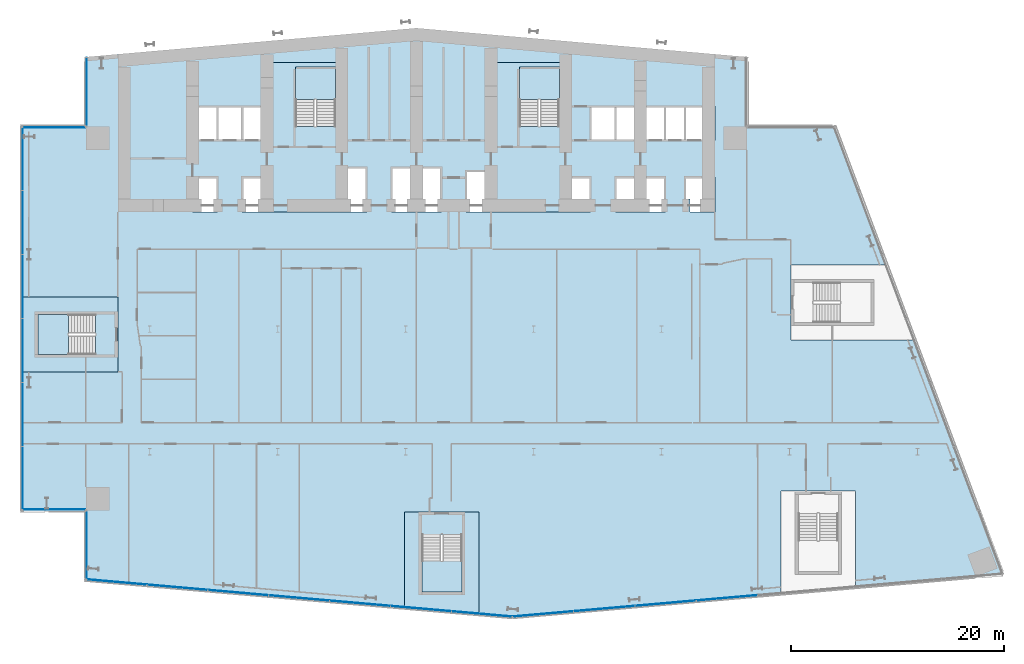
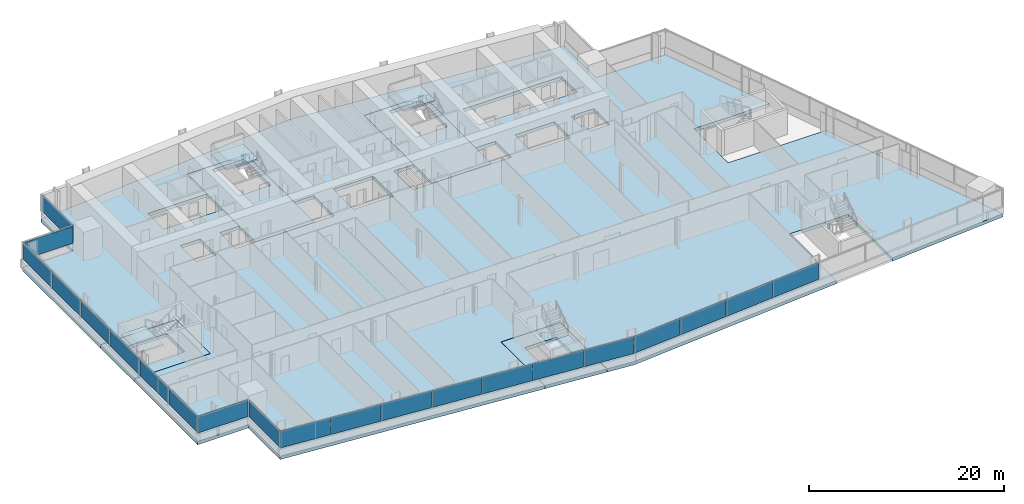
# One storey, part 10 of 24: 21 plates, 9 slabs, 11 elements without a shape of their own.
"""IFC4 building model written with IfcOpenShell, lengths in metres."""

from ifc_helpers import new_model, si_unit, direction, frame, origin, origin_2d, place, context, subcontext, project, spatial, polyline, rectangle, outline, extrude, material, layer, layer_set, type_object, element, aggregate, save


model = new_model("IFC4")

# Units and contexts
model_context = context("Model", 3, precision=1e-05, world=origin(), true_north=direction((0.0, 1.0)))
body_context = subcontext(model_context, "Body", "Model", "MODEL_VIEW")
ifc_project = project(units=[si_unit("LENGTHUNIT", "METRE"), si_unit("AREAUNIT", "SQUARE_METRE"), si_unit("VOLUMEUNIT", "CUBIC_METRE"), si_unit("PLANEANGLEUNIT", "RADIAN"), si_unit("MASSUNIT", "GRAM", prefix="KILO")], contexts=[model_context])

# Site, building, storey
site_placement = place(None, origin())
site = spatial("IfcSite", under=ifc_project, at=site_placement, CompositionType="ELEMENT")
building_placement = place(site_placement, origin())
building = spatial("IfcBuilding", under=site, at=building_placement, Name="Wharfspan Tower", CompositionType="ELEMENT")
storey_placement = place(building_placement, frame((0.0, 0.0, 41.5)))
storey = spatial("IfcBuildingStorey", under=building, at=storey_placement, Name="L06", CompositionType="ELEMENT", Elevation=41.5)

# Curtain wall, plates
ifc_material_1 = material(Name="Aluminium 6063-T6", Category="aluminium")
curtain_wall_type_1 = type_object("IfcCurtainWallType", Name="CURTAIN WALL FACETED FRONT", PredefinedType="NOTDEFINED", material=ifc_material_1)
curtain_wall_1_placement = place(storey_placement, origin())
curtain_wall_1 = element("IfcCurtainWall", 1, at=curtain_wall_1_placement, inside=storey, type_object=curtain_wall_type_1, Name="Curtain wall S1", PredefinedType="NOTDEFINED")
ifc_material_2 = material(Name="Glass clear low-iron double glazing", Category="glass")
ifc_layer_1 = layer(ifc_material_2, 0.040039)
ifc_layer_set_1 = layer_set([ifc_layer_1], Name="Glass clear low-iron double glazing")
plate_type_1 = type_object("IfcPlateType", Name="GLASS PANEL FACETED FRONT 40", PredefinedType="CURTAIN_PANEL", material=ifc_layer_set_1)
plate_1_placement = place(storey_placement, frame((8.877197, -0.716553, 1.0), z_axis=(0.0, 0.0, 1.0), x_axis=(0.996197, -0.087156, 0.0)))
plate_1 = element("IfcPlate", 2, at=plate_1_placement, type_object=plate_type_1, Name="Curtain wall S1 panel 1", PredefinedType="CURTAIN_PANEL", context=body_context, shape_type="SweptSolid", body=[
    extrude(rectangle(XDim=5.645996, YDim=0.040039, at=origin_2d()), origin(), (0.0, 0.0, 1.0), 2.120117),
])
plate_2_placement = place(storey_placement, frame((14.57666, -1.215088, 1.0), z_axis=(0.0, 0.0, 1.0), x_axis=(0.996197, -0.087156, 0.0)))
plate_2 = element("IfcPlate", 3, at=plate_2_placement, type_object=plate_type_1, Name="Curtain wall S1 panel 2", PredefinedType="CURTAIN_PANEL", context=body_context, shape_type="SweptSolid", body=[
    extrude(rectangle(XDim=5.676025, YDim=0.040039, at=origin_2d()), origin(), (0.0, 0.0, 1.0), 2.120117),
])
plate_3_placement = place(storey_placement, frame((20.291016, -1.715088, 1.0), z_axis=(0.0, 0.0, 1.0), x_axis=(0.996197, -0.087156, 0.0)))
plate_3 = element("IfcPlate", 4, at=plate_3_placement, type_object=plate_type_1, Name="Curtain wall S1 panel 3", PredefinedType="CURTAIN_PANEL", context=body_context, shape_type="SweptSolid", body=[
    extrude(rectangle(XDim=5.676025, YDim=0.040039, at=origin_2d()), origin(), (0.0, 0.0, 1.0), 2.120117),
])
plate_4_placement = place(storey_placement, frame((26.005127, -2.214844, 1.0), z_axis=(0.0, 0.0, 1.0), x_axis=(0.996197, -0.087156, 0.0)))
plate_4 = element("IfcPlate", 5, at=plate_4_placement, type_object=plate_type_1, Name="Curtain wall S1 panel 4", PredefinedType="CURTAIN_PANEL", context=body_context, shape_type="SweptSolid", body=[
    extrude(rectangle(XDim=5.676025, YDim=0.040039, at=origin_2d()), origin(), (0.0, 0.0, 1.0), 2.120117),
])
plate_5_placement = place(storey_placement, frame((31.719482, -2.714844, 1.0), z_axis=(0.0, 0.0, 1.0), x_axis=(0.996197, -0.087156, 0.0)))
plate_5 = element("IfcPlate", 6, at=plate_5_placement, type_object=plate_type_1, Name="Curtain wall S1 panel 5", PredefinedType="CURTAIN_PANEL", context=body_context, shape_type="SweptSolid", body=[
    extrude(rectangle(XDim=5.676025, YDim=0.040039, at=origin_2d()), origin(), (0.0, 0.0, 1.0), 2.120117),
])
plate_6_placement = place(storey_placement, frame((37.433838, -3.214844, 1.0), z_axis=(0.0, 0.0, 1.0), x_axis=(0.996197, -0.087156, 0.0)))
plate_6 = element("IfcPlate", 7, at=plate_6_placement, type_object=plate_type_1, Name="Curtain wall S1 panel 6", PredefinedType="CURTAIN_PANEL", context=body_context, shape_type="SweptSolid", body=[
    extrude(rectangle(XDim=5.676025, YDim=0.040039, at=origin_2d()), origin(), (0.0, 0.0, 1.0), 2.120117),
])
plate_7_placement = place(storey_placement, frame((43.133057, -3.713379, 1.0), z_axis=(0.0, 0.0, 1.0), x_axis=(0.996197, -0.087156, 0.0)))
plate_7 = element("IfcPlate", 8, at=plate_7_placement, type_object=plate_type_1, Name="Curtain wall S1 panel 7", PredefinedType="CURTAIN_PANEL", context=body_context, shape_type="SweptSolid", body=[
    extrude(rectangle(XDim=5.645996, YDim=0.040039, at=origin_2d()), origin(), (0.0, 0.0, 1.0), 2.120117),
])
aggregate(curtain_wall_1, [plate_1, plate_2, plate_3, plate_4, plate_5, plate_6, plate_7])

curtain_wall_2_placement = place(storey_placement, origin())
curtain_wall_2 = element("IfcCurtainWall", 9, at=curtain_wall_2_placement, inside=storey, type_object=curtain_wall_type_1, Name="Curtain wall S2", PredefinedType="NOTDEFINED")
plate_8_placement = place(storey_placement, frame((48.884766, -3.711914, 1.0), z_axis=(0.0, 0.0, 1.0), x_axis=(0.996197, 0.087156, 0.0)))
plate_8 = element("IfcPlate", 10, at=plate_8_placement, type_object=plate_type_1, Name="Curtain wall S2 panel 1", PredefinedType="CURTAIN_PANEL", context=body_context, shape_type="SweptSolid", body=[
    extrude(rectangle(XDim=5.681885, YDim=0.040039, at=origin_2d()), origin(), (0.0, 0.0, 1.0), 2.120117),
])
plate_9_placement = place(storey_placement, frame((54.619873, -3.210205, 1.0), z_axis=(0.0, 0.0, 1.0), x_axis=(0.996197, 0.087156, 0.0)))
plate_9 = element("IfcPlate", 11, at=plate_9_placement, type_object=plate_type_1, Name="Curtain wall S2 panel 2", PredefinedType="CURTAIN_PANEL", context=body_context, shape_type="SweptSolid", body=[
    extrude(rectangle(XDim=5.711914, YDim=0.040039, at=origin_2d()), origin(), (0.0, 0.0, 1.0), 2.120117),
])
plate_10_placement = place(storey_placement, frame((60.369873, -2.707031, 1.0), z_axis=(0.0, 0.0, 1.0), x_axis=(0.996197, 0.087156, 0.0)))
plate_10 = element("IfcPlate", 12, at=plate_10_placement, type_object=plate_type_1, Name="Curtain wall S2 panel 3", PredefinedType="CURTAIN_PANEL", context=body_context, shape_type="SweptSolid", body=[
    extrude(rectangle(XDim=5.711914, YDim=0.040039, at=origin_2d()), origin(), (0.0, 0.0, 1.0), 2.120117),
])
plate_11_placement = place(storey_placement, frame((66.119873, -2.204102, 1.0), z_axis=(0.0, 0.0, 1.0), x_axis=(0.996197, 0.087156, 0.0)))
plate_11 = element("IfcPlate", 13, at=plate_11_placement, type_object=plate_type_1, Name="Curtain wall S2 panel 4", PredefinedType="CURTAIN_PANEL", context=body_context, shape_type="SweptSolid", body=[
    extrude(rectangle(XDim=5.711914, YDim=0.040039, at=origin_2d()), origin(), (0.0, 0.0, 1.0), 2.120117),
])
aggregate(curtain_wall_2, [plate_8, plate_9, plate_10, plate_11])

# Curtain wall, plate
curtain_wall_type_2 = type_object("IfcCurtainWallType", Name="CURTAIN WALL PROW AND END", PredefinedType="NOTDEFINED", material=ifc_material_1)
curtain_wall_3_placement = place(storey_placement, origin())
curtain_wall_3 = element("IfcCurtainWall", 14, at=curtain_wall_3_placement, inside=storey, type_object=curtain_wall_type_2, Name="Curtain wall NRW-V", PredefinedType="NOTDEFINED")
ifc_layer_2 = layer(ifc_material_2, 0.040039)
ifc_layer_set_2 = layer_set([ifc_layer_2], Name="Glass clear low-iron double glazing")
plate_type_2 = type_object("IfcPlateType", Name="GLASS PANEL PROW AND END 40", PredefinedType="CURTAIN_PANEL", material=ifc_layer_set_2)
plate_12_placement = place(storey_placement, frame((6.080078, 45.262451, 1.0), z_axis=(0.0, 0.0, 1.0), x_axis=(0.0, -1.0, 0.0)))
plate_12 = element("IfcPlate", 15, at=plate_12_placement, type_object=plate_type_2, Name="Curtain wall NRW-V panel 1", PredefinedType="CURTAIN_PANEL", context=body_context, shape_type="SweptSolid", body=[
    extrude(rectangle(XDim=6.405029, YDim=0.040039, at=origin_2d()), origin(), (0.0, 0.0, 1.0), 2.120117),
])
aggregate(curtain_wall_3, [plate_12])

curtain_wall_4_placement = place(storey_placement, origin())
curtain_wall_4 = element("IfcCurtainWall", 16, at=curtain_wall_4_placement, inside=storey, type_object=curtain_wall_type_2, Name="Curtain wall NRW-H", PredefinedType="NOTDEFINED")
plate_13_placement = place(storey_placement, frame((3.0, 41.919922, 1.0), z_axis=(0.0, 0.0, 1.0), x_axis=(-1.0, 0.0, 0.0)))
plate_13 = element("IfcPlate", 17, at=plate_13_placement, type_object=plate_type_2, Name="Curtain wall NRW-H panel 1", PredefinedType="CURTAIN_PANEL", context=body_context, shape_type="SweptSolid", body=[
    extrude(rectangle(XDim=5.879883, YDim=0.040039, at=origin_2d()), origin(), (0.0, 0.0, 1.0), 2.120117),
])
aggregate(curtain_wall_4, [plate_13])

# Curtain wall, plates
curtain_wall_5_placement = place(storey_placement, origin())
curtain_wall_5 = element("IfcCurtainWall", 18, at=curtain_wall_5_placement, inside=storey, type_object=curtain_wall_type_2, Name="Curtain wall W", PredefinedType="NOTDEFINED")
plate_14_placement = place(storey_placement, frame((0.080078, 38.985107, 1.0), z_axis=(0.0, 0.0, 1.0), x_axis=(0.0, -1.0, 0.0)))
plate_14 = element("IfcPlate", 19, at=plate_14_placement, type_object=plate_type_2, Name="Curtain wall W panel 1", PredefinedType="CURTAIN_PANEL", context=body_context, shape_type="SweptSolid", body=[
    extrude(rectangle(XDim=5.909912, YDim=0.040039, at=origin_2d()), origin(), (0.0, 0.0, 1.0), 2.120117),
])
plate_15_placement = place(storey_placement, frame((0.080078, 33.0, 1.0), z_axis=(0.0, 0.0, 1.0), x_axis=(0.0, -1.0, 0.0)))
plate_15 = element("IfcPlate", 20, at=plate_15_placement, type_object=plate_type_2, Name="Curtain wall W panel 2", PredefinedType="CURTAIN_PANEL", context=body_context, shape_type="SweptSolid", body=[
    extrude(rectangle(XDim=5.939941, YDim=0.040039, at=origin_2d()), origin(), (0.0, 0.0, 1.0), 2.120117),
])
plate_16_placement = place(storey_placement, frame((0.080078, 27.0, 1.0), z_axis=(0.0, 0.0, 1.0), x_axis=(0.0, -1.0, 0.0)))
plate_16 = element("IfcPlate", 21, at=plate_16_placement, type_object=plate_type_2, Name="Curtain wall W panel 3", PredefinedType="CURTAIN_PANEL", context=body_context, shape_type="SweptSolid", body=[
    extrude(rectangle(XDim=5.939941, YDim=0.040039, at=origin_2d()), origin(), (0.0, 0.0, 1.0), 2.120117),
])
plate_17_placement = place(storey_placement, frame((0.080078, 21.0, 1.0), z_axis=(0.0, 0.0, 1.0), x_axis=(0.0, -1.0, 0.0)))
plate_17 = element("IfcPlate", 22, at=plate_17_placement, type_object=plate_type_2, Name="Curtain wall W panel 4", PredefinedType="CURTAIN_PANEL", context=body_context, shape_type="SweptSolid", body=[
    extrude(rectangle(XDim=5.939941, YDim=0.040039, at=origin_2d()), origin(), (0.0, 0.0, 1.0), 2.120117),
])
plate_18_placement = place(storey_placement, frame((0.080078, 15.0, 1.0), z_axis=(0.0, 0.0, 1.0), x_axis=(0.0, -1.0, 0.0)))
plate_18 = element("IfcPlate", 23, at=plate_18_placement, type_object=plate_type_2, Name="Curtain wall W panel 5", PredefinedType="CURTAIN_PANEL", context=body_context, shape_type="SweptSolid", body=[
    extrude(rectangle(XDim=5.939941, YDim=0.040039, at=origin_2d()), origin(), (0.0, 0.0, 1.0), 2.120117),
])
plate_19_placement = place(storey_placement, frame((0.080078, 9.014893, 1.0), z_axis=(0.0, 0.0, 1.0), x_axis=(0.0, -1.0, 0.0)))
plate_19 = element("IfcPlate", 24, at=plate_19_placement, type_object=plate_type_2, Name="Curtain wall W panel 6", PredefinedType="CURTAIN_PANEL", context=body_context, shape_type="SweptSolid", body=[
    extrude(rectangle(XDim=5.909912, YDim=0.040039, at=origin_2d()), origin(), (0.0, 0.0, 1.0), 2.120117),
])
aggregate(curtain_wall_5, [plate_14, plate_15, plate_16, plate_17, plate_18, plate_19])

# Curtain wall, plate
curtain_wall_6_placement = place(storey_placement, origin())
curtain_wall_6 = element("IfcCurtainWall", 25, at=curtain_wall_6_placement, inside=storey, type_object=curtain_wall_type_2, Name="Curtain wall NFW-H", PredefinedType="NOTDEFINED")
plate_20_placement = place(storey_placement, frame((3.0, 6.080078, 1.0), z_axis=(0.0, 0.0, 1.0), x_axis=(1.0, 0.0, 0.0)))
plate_20 = element("IfcPlate", 26, at=plate_20_placement, type_object=plate_type_2, Name="Curtain wall NFW-H panel 1", PredefinedType="CURTAIN_PANEL", context=body_context, shape_type="SweptSolid", body=[
    extrude(rectangle(XDim=5.879883, YDim=0.040039, at=origin_2d()), origin(), (0.0, 0.0, 1.0), 2.120117),
])
aggregate(curtain_wall_6, [plate_20])

curtain_wall_7_placement = place(storey_placement, origin())
curtain_wall_7 = element("IfcCurtainWall", 27, at=curtain_wall_7_placement, inside=storey, type_object=curtain_wall_type_2, Name="Curtain wall NFW-V", PredefinedType="NOTDEFINED")
plate_21_placement = place(storey_placement, frame((6.080078, 2.737549, 1.0), z_axis=(0.0, 0.0, 1.0), x_axis=(0.0, -1.0, 0.0)))
plate_21 = element("IfcPlate", 28, at=plate_21_placement, type_object=plate_type_2, Name="Curtain wall NFW-V panel 1", PredefinedType="CURTAIN_PANEL", context=body_context, shape_type="SweptSolid", body=[
    extrude(rectangle(XDim=6.405029, YDim=0.040039, at=origin_2d()), origin(), (0.0, 0.0, 1.0), 2.120117),
])
aggregate(curtain_wall_7, [plate_21])

# Slabs
ifc_material_3 = material(Name="Concrete C40/50", Category="concrete")
ifc_layer_3 = layer(ifc_material_3, 0.399902)
ifc_layer_set_3 = layer_set([ifc_layer_3], Name="Concrete C40/50")
slab_type_1 = type_object("IfcSlabType", Name="Post-tensioned flat slab 400", PredefinedType="FLOOR", material=ifc_layer_set_3)
slab_1_placement = place(storey_placement, frame((0.0, 0.0, -0.400146)))
element("IfcSlab", 29, at=slab_1_placement, inside=storey, type_object=slab_type_1, Name="Floor slab L06", PredefinedType="FLOOR", context=body_context, shape_type="SweptSolid", body=[
    extrude(outline(polyline([(35.873291, -3.138428), (35.873291, 5.870605), (42.893311, 5.870605), (42.893311, -3.752686), (46.0, -4.024414), (71.182617, -1.821289), (71.182617, 7.802002), (78.202393, 7.802002), (78.202393, -1.207031), (92.0, 0.0), (83.753662, 21.98999), (72.11499, 21.98999), (72.11499, 29.01001), (81.121338, 29.01001), (76.25, 42.0), (68.0, 42.0), (68.0, 48.524902), (37.0, 51.237061), (6.0, 48.524902), (6.0, 42.0), (0.0, 42.0), (0.0, 26.01001), (9.01001, 26.01001), (9.01001, 18.98999), (0.0, 18.98999), (0.0, 6.0), (6.0, 6.0), (6.0, -0.524902), (35.873291, -3.138428)]), holes=[polyline([(62.290039, 37.159912), (62.656738, 37.159912), (62.656738, 37.26001), (65.01001, 37.26001), (65.01001, 33.98999), (62.656738, 33.98999), (62.656738, 35.189941), (62.290039, 35.189941), (62.290039, 37.159912)]), polyline([(65.01001, 43.909912), (65.01001, 40.689941), (53.323242, 40.689941), (53.323242, 43.909912), (65.01001, 43.909912)]), polyline([(55.656738, 33.98999), (55.656738, 37.26001), (60.343262, 37.26001), (60.343262, 33.98999), (55.656738, 33.98999)]), polyline([(43.98999, 37.860107), (43.98999, 48.01001), (51.01001, 48.01001), (51.01001, 37.26001), (53.343262, 37.26001), (53.343262, 33.98999), (41.656738, 33.98999), (41.656738, 37.860107), (43.98999, 37.860107)]), polyline([(34.656738, 33.98999), (34.656738, 38.159912), (39.343262, 38.159912), (39.343262, 33.98999), (34.656738, 33.98999)]), polyline([(15.98999, 40.689941), (15.98999, 43.909912), (20.656738, 43.909912), (20.676758, 43.909912), (22.98999, 43.909912), (22.98999, 48.01001), (30.01001, 48.01001), (30.01001, 38.159912), (32.343262, 38.159912), (32.343262, 33.98999), (20.656738, 33.98999), (20.656738, 37.26001), (22.98999, 37.26001), (22.98999, 40.689941), (20.676758, 40.689941), (20.656738, 40.689941), (15.98999, 40.689941)]), polyline([(18.343262, 37.26001), (18.343262, 33.98999), (15.98999, 33.98999), (15.98999, 37.26001), (18.343262, 37.26001)])]), origin(), (0.0, 0.0, 1.0), 0.400146),
])
slab_2_placement = place(storey_placement, frame((0.0, 0.0, -0.400146)))
element("IfcSlab", 30, at=slab_2_placement, inside=storey, type_object=slab_type_1, Name="Core floor slab L06 part 1", PredefinedType="FLOOR", context=body_context, shape_type="SweptSolid", body=[
    extrude(outline(polyline([(9.0, 20.324951), (9.0, 24.675049), (9.0, 26.0), (0.0, 26.0), (0.0, 19.0), (9.0, 19.0), (9.0, 20.324951)]), holes=[polyline([(6.9021, 20.625), (6.9021, 20.624756), (6.9021, 20.624512), (6.901855, 20.624512), (6.901855, 20.624268), (6.901855, 20.624023), (6.901611, 20.623779), (6.901611, 20.623779), (6.901367, 20.623535), (6.901367, 20.623535), (6.901123, 20.623291), (6.900879, 20.623291), (6.900879, 20.623291), (6.900635, 20.623047), (6.900391, 20.623047), (6.900146, 20.623047), (6.899902, 20.623047), (1.5, 20.623047), (1.499756, 20.623047), (1.499512, 20.623047), (1.499512, 20.623047), (1.499268, 20.623291), (1.499023, 20.623291), (1.498779, 20.623291), (1.498779, 20.623535), (1.498535, 20.623535), (1.498535, 20.623779), (1.498291, 20.623779), (1.498291, 20.624023), (1.498291, 20.624268), (1.498047, 20.624512), (1.498047, 20.624512), (1.498047, 20.624756), (1.498047, 20.625), (1.498047, 24.375), (1.498047, 24.375244), (1.498047, 24.375488), (1.498047, 24.375488), (1.498291, 24.375732), (1.498291, 24.375977), (1.498291, 24.376221), (1.498535, 24.376221), (1.498535, 24.376465), (1.498779, 24.376465), (1.498779, 24.376709), (1.499023, 24.376709), (1.499268, 24.376709), (1.499512, 24.376953), (1.499512, 24.376953), (1.499756, 24.376953), (1.5, 24.376953), (6.899902, 24.376953), (6.900146, 24.376953), (6.900391, 24.376953), (6.900635, 24.376953), (6.900879, 24.376709), (6.900879, 24.376709), (6.901123, 24.376709), (6.901367, 24.376465), (6.901367, 24.376465), (6.901611, 24.376221), (6.901611, 24.376221), (6.901855, 24.375977), (6.901855, 24.375732), (6.901855, 24.375488), (6.9021, 24.375488), (6.9021, 24.375244), (6.9021, 24.375), (6.9021, 20.625)])]), origin(), (0.0, 0.0, 1.0), 0.400146),
])
slab_3_placement = place(storey_placement, frame((0.0, 0.0, -0.400146)))
element("IfcSlab", 31, at=slab_3_placement, inside=storey, type_object=slab_type_1, Name="Core floor slab L06 part 2", PredefinedType="FLOOR", context=body_context, shape_type="SweptSolid", body=[
    extrude(outline(polyline([(20.664795, 34.0), (20.664795, 37.25), (20.664795, 37.250244), (20.664795, 37.250488), (20.664795, 37.250488), (20.664795, 37.250732), (20.664795, 37.250977), (20.665039, 37.251221), (20.665039, 37.251221), (20.665283, 37.251465), (20.665283, 37.251465), (20.665527, 37.251709), (20.665771, 37.251709), (20.666016, 37.251709), (20.666016, 37.251953), (20.66626, 37.251953), (20.666504, 37.251953), (20.666748, 37.251953), (23.0, 37.251953), (23.000244, 37.251953), (23.000488, 37.251953), (23.000488, 37.251953), (23.000732, 37.251709), (23.000977, 37.251709), (23.001221, 37.251709), (23.001221, 37.251465), (23.001465, 37.251465), (23.001465, 37.251221), (23.001709, 37.251221), (23.001709, 37.250977), (23.001709, 37.250732), (23.001953, 37.250488), (23.001953, 37.250488), (23.001953, 37.250244), (23.001953, 37.25), (23.001953, 34.0), (29.998047, 34.0), (29.998047, 38.149902), (29.998047, 38.150146), (29.998047, 38.150391), (29.998047, 38.150635), (29.998291, 38.150879), (29.998291, 38.150879), (29.998291, 38.151123), (29.998535, 38.151367), (29.998535, 38.151367), (29.998779, 38.151611), (29.998779, 38.151611), (29.999023, 38.151855), (29.999268, 38.151855), (29.999512, 38.151855), (29.999512, 38.1521), (29.999756, 38.1521), (30.0, 38.1521), (32.333252, 38.1521), (32.333496, 38.1521), (32.33374, 38.1521), (32.333984, 38.151855), (32.333984, 38.151855), (32.334229, 38.151855), (32.334473, 38.151611), (32.334717, 38.151611), (32.334717, 38.151367), (32.334961, 38.151367), (32.334961, 38.151123), (32.335205, 38.150879), (32.335205, 38.150879), (32.335205, 38.150635), (32.335205, 38.150391), (32.335205, 38.150146), (32.335205, 38.149902), (32.335205, 34.0), (32.341309, 34.0), (32.341309, 38.157959), (30.01001, 38.157959), (30.009766, 38.157959), (30.009521, 38.157959), (30.009521, 38.158203), (30.009277, 38.158203), (30.009033, 38.158203), (30.008789, 38.158203), (30.008789, 38.158447), (30.008545, 38.158691), (30.008545, 38.158691), (30.008301, 38.158936), (30.008301, 38.15918), (30.008301, 38.15918), (30.008057, 38.159424), (30.008057, 38.159668), (30.008057, 38.159912), (30.008057, 38.159912), (30.008057, 48.008057), (22.991943, 48.008057), (22.991943, 43.909912), (22.991943, 43.909912), (22.991943, 43.909668), (22.991943, 43.909424), (22.991699, 43.90918), (22.991699, 43.90918), (22.991699, 43.908936), (22.991455, 43.908691), (22.991455, 43.908691), (22.991211, 43.908447), (22.991211, 43.908203), (22.990967, 43.908203), (22.990723, 43.908203), (22.990479, 43.908203), (22.990479, 43.907959), (22.990234, 43.907959), (22.98999, 43.907959), (15.991943, 43.907959), (15.991943, 40.691895), (22.98999, 40.691895), (22.990234, 40.691895), (22.990479, 40.691895), (22.990479, 40.691895), (22.990723, 40.691895), (22.990967, 40.691895), (22.991211, 40.69165), (22.991211, 40.691406), (22.991455, 40.691406), (22.991455, 40.691406), (22.991699, 40.691162), (22.991699, 40.690918), (22.991699, 40.690918), (22.991943, 40.690674), (22.991943, 40.69043), (22.991943, 40.690186), (22.991943, 40.689941), (22.991943, 37.26001), (22.991943, 37.259766), (22.991943, 37.259521), (22.991943, 37.259521), (22.991699, 37.259277), (22.991699, 37.259033), (22.991699, 37.258789), (22.991455, 37.258789), (22.991455, 37.258545), (22.991211, 37.258545), (22.991211, 37.258301), (22.990967, 37.258301), (22.990723, 37.258301), (22.990479, 37.258057), (22.990479, 37.258057), (22.990234, 37.258057), (22.98999, 37.258057), (20.658691, 37.258057), (20.658691, 34.0), (20.664795, 34.0)]), holes=[polyline([(29.4021, 42.0), (29.4021, 41.999756), (29.4021, 41.999512), (29.401855, 41.999512), (29.401855, 41.999268), (29.401855, 41.999023), (29.401611, 41.998779), (29.401611, 41.998779), (29.401367, 41.998535), (29.401367, 41.998535), (29.401123, 41.998291), (29.400879, 41.998291), (29.400879, 41.998291), (29.400635, 41.998047), (29.400391, 41.998047), (29.400146, 41.998047), (29.399902, 41.998047), (25.649902, 41.998047), (25.649902, 41.998047), (25.649658, 41.998047), (25.649414, 41.998047), (25.64917, 41.998291), (25.64917, 41.998291), (25.648926, 41.998291), (25.648682, 41.998535), (25.648682, 41.998535), (25.648438, 41.998779), (25.648193, 41.998779), (25.648193, 41.999023), (25.648193, 41.999268), (25.648193, 41.999512), (25.647949, 41.999512), (25.647949, 41.999756), (25.647949, 42.0), (25.647949, 47.399902), (25.647949, 47.400146), (25.647949, 47.400391), (25.648193, 47.400635), (25.648193, 47.400879), (25.648193, 47.400879), (25.648193, 47.401123), (25.648438, 47.401367), (25.648682, 47.401367), (25.648682, 47.401611), (25.648926, 47.401611), (25.64917, 47.401855), (25.64917, 47.401855), (25.649414, 47.401855), (25.649658, 47.4021), (25.649902, 47.4021), (25.649902, 47.4021), (29.399902, 47.4021), (29.400146, 47.4021), (29.400391, 47.4021), (29.400635, 47.401855), (29.400879, 47.401855), (29.400879, 47.401855), (29.401123, 47.401611), (29.401367, 47.401611), (29.401367, 47.401367), (29.401611, 47.401367), (29.401611, 47.401123), (29.401855, 47.400879), (29.401855, 47.400879), (29.401855, 47.400635), (29.4021, 47.400391), (29.4021, 47.400146), (29.4021, 47.399902), (29.4021, 42.0)]), polyline([(16.0, 40.697998), (15.999756, 40.697998), (15.999512, 40.697998), (15.999512, 40.697998), (15.999268, 40.698242), (15.999023, 40.698242), (15.998779, 40.698242), (15.998779, 40.698486), (15.998535, 40.698486), (15.998535, 40.69873), (15.998291, 40.698975), (15.998291, 40.699219), (15.998291, 40.699219), (15.998047, 40.699463), (15.998047, 40.699707), (15.998047, 40.699707), (15.998047, 40.699951), (15.998047, 43.899902), (15.998047, 43.900146), (15.998047, 43.900391), (15.998047, 43.900635), (15.998291, 43.900879), (15.998291, 43.900879), (15.998291, 43.901123), (15.998535, 43.901367), (15.998535, 43.901367), (15.998779, 43.901611), (15.998779, 43.901611), (15.999023, 43.901855), (15.999268, 43.901855), (15.999512, 43.901855), (15.999512, 43.9021), (15.999756, 43.9021), (16.0, 43.9021), (20.666748, 43.9021), (20.666748, 43.9021), (23.0, 43.9021), (23.000244, 43.9021), (23.000488, 43.9021), (23.000488, 43.901855), (23.000732, 43.901855), (23.000977, 43.901855), (23.001221, 43.901611), (23.001221, 43.901611), (23.001465, 43.901367), (23.001465, 43.901367), (23.001709, 43.901123), (23.001709, 43.900879), (23.001709, 43.900879), (23.001953, 43.900635), (23.001953, 43.900391), (23.001953, 43.900146), (23.001953, 43.899902), (23.001953, 40.699951), (23.001953, 40.699707), (23.001953, 40.699707), (23.001953, 40.699463), (23.001709, 40.699219), (23.001709, 40.699219), (23.001709, 40.698975), (23.001465, 40.69873), (23.001465, 40.698486), (23.001221, 40.698486), (23.001221, 40.698242), (23.000977, 40.698242), (23.000732, 40.698242), (23.000488, 40.697998), (23.000488, 40.697998), (23.000244, 40.697998), (23.0, 40.697998), (20.666748, 40.697998), (20.666748, 40.697998), (16.0, 40.697998)])]), origin(), (0.0, 0.0, 1.0), 0.400146),
])
slab_4_placement = place(storey_placement, frame((0.0, 0.0, -0.400146)))
element("IfcSlab", 32, at=slab_4_placement, inside=storey, type_object=slab_type_1, Name="Core floor slab L06 part 3", PredefinedType="FLOOR", context=body_context, shape_type="SweptSolid", body=[
    extrude(outline(polyline([(41.55835, 5.860596), (37.208252, 5.860596), (35.883301, 5.860596), (35.883301, -3.139404), (42.883301, -3.751709), (42.883301, 5.860596), (41.55835, 5.860596)]), holes=[polyline([(37.506348, 3.760498), (37.506348, 3.760742), (37.506348, 3.760986), (37.506348, 3.76123), (37.506592, 3.761475), (37.506592, 3.761719), (37.506592, 3.761719), (37.506836, 3.761963), (37.506836, 3.761963), (37.50708, 3.762207), (37.50708, 3.762207), (37.507324, 3.762451), (37.507568, 3.762451), (37.507812, 3.762451), (37.507812, 3.762695), (37.508057, 3.762695), (37.508301, 3.762695), (41.258301, 3.762695), (41.258545, 3.762695), (41.258789, 3.762695), (41.258789, 3.762451), (41.259033, 3.762451), (41.259277, 3.762451), (41.259521, 3.762207), (41.259521, 3.762207), (41.259766, 3.761963), (41.26001, 3.761963), (41.26001, 3.761719), (41.26001, 3.761719), (41.260254, 3.761475), (41.260254, 3.76123), (41.260254, 3.760986), (41.260254, 3.760742), (41.260254, 3.760498), (41.260254, -1.639404), (41.260254, -1.639648), (41.260254, -1.639893), (41.260254, -1.639893), (41.260254, -1.640137), (41.26001, -1.640381), (41.26001, -1.640381), (41.26001, -1.640625), (41.259766, -1.640869), (41.259521, -1.640869), (41.259521, -1.641113), (41.259277, -1.641113), (41.259033, -1.641113), (41.258789, -1.641357), (41.258789, -1.641357), (41.258545, -1.641357), (41.258301, -1.641357), (37.508301, -1.641357), (37.508057, -1.641357), (37.507812, -1.641357), (37.507812, -1.641357), (37.507568, -1.641113), (37.507324, -1.641113), (37.50708, -1.641113), (37.50708, -1.640869), (37.506836, -1.640869), (37.506836, -1.640625), (37.506592, -1.640381), (37.506592, -1.640381), (37.506592, -1.640137), (37.506348, -1.639893), (37.506348, -1.639893), (37.506348, -1.639648), (37.506348, -1.639404), (37.506348, 3.760498)])]), origin(), (0.0, 0.0, 1.0), 0.400146),
])
slab_5_placement = place(storey_placement, frame((0.0, 0.0, -0.400146)))
element("IfcSlab", 33, at=slab_5_placement, inside=storey, type_object=slab_type_1, Name="Core floor slab L06 part 4", PredefinedType="FLOOR", context=body_context, shape_type="SweptSolid", body=[
    extrude(outline(polyline([(53.341309, 34.0), (53.341309, 37.258057), (51.01001, 37.258057), (51.009766, 37.258057), (51.009521, 37.258057), (51.009521, 37.258057), (51.009277, 37.258301), (51.009033, 37.258301), (51.008789, 37.258301), (51.008789, 37.258545), (51.008545, 37.258545), (51.008545, 37.258789), (51.008301, 37.258789), (51.008301, 37.259033), (51.008301, 37.259277), (51.008057, 37.259521), (51.008057, 37.259521), (51.008057, 37.259766), (51.008057, 37.26001), (51.008057, 48.008057), (43.991943, 48.008057), (43.991943, 37.860107), (43.991943, 37.859863), (43.991943, 37.859619), (43.991943, 37.859375), (43.991699, 37.859131), (43.991699, 37.859131), (43.991699, 37.858887), (43.991455, 37.858643), (43.991455, 37.858643), (43.991211, 37.858398), (43.991211, 37.858398), (43.990967, 37.858154), (43.990723, 37.858154), (43.990479, 37.858154), (43.990479, 37.85791), (43.990234, 37.85791), (43.98999, 37.85791), (41.658691, 37.85791), (41.658691, 34.0), (41.664795, 34.0), (41.664795, 37.850098), (41.664795, 37.850098), (41.664795, 37.850342), (41.664795, 37.850586), (41.664795, 37.85083), (41.664795, 37.85083), (41.665039, 37.851074), (41.665039, 37.851318), (41.665283, 37.851318), (41.665283, 37.851562), (41.665527, 37.851807), (41.665771, 37.851807), (41.666016, 37.851807), (41.666016, 37.851807), (41.66626, 37.852051), (41.666504, 37.852051), (41.666748, 37.852051), (44.0, 37.852051), (44.000244, 37.852051), (44.000488, 37.852051), (44.000488, 37.851807), (44.000732, 37.851807), (44.000977, 37.851807), (44.001221, 37.851807), (44.001221, 37.851562), (44.001465, 37.851318), (44.001465, 37.851318), (44.001709, 37.851074), (44.001709, 37.85083), (44.001709, 37.85083), (44.001953, 37.850586), (44.001953, 37.850342), (44.001953, 37.850098), (44.001953, 37.850098), (44.001953, 34.0), (50.998047, 34.0), (50.998047, 37.25), (50.998047, 37.250244), (50.998047, 37.250488), (50.998047, 37.250488), (50.998291, 37.250732), (50.998291, 37.250977), (50.998291, 37.251221), (50.998535, 37.251221), (50.998535, 37.251465), (50.998779, 37.251465), (50.998779, 37.251709), (50.999023, 37.251709), (50.999268, 37.251709), (50.999512, 37.251953), (50.999512, 37.251953), (50.999756, 37.251953), (51.0, 37.251953), (53.333252, 37.251953), (53.333496, 37.251953), (53.33374, 37.251953), (53.333984, 37.251953), (53.333984, 37.251709), (53.334229, 37.251709), (53.334473, 37.251709), (53.334717, 37.251465), (53.334717, 37.251465), (53.334961, 37.251221), (53.334961, 37.251221), (53.335205, 37.250977), (53.335205, 37.250732), (53.335205, 37.250488), (53.335205, 37.250488), (53.335205, 37.250244), (53.335205, 37.25), (53.335205, 34.0), (53.341309, 34.0)]), holes=[polyline([(46.649902, 41.998047), (46.649902, 41.998047), (46.649658, 41.998047), (46.649414, 41.998047), (46.64917, 41.998291), (46.64917, 41.998291), (46.648926, 41.998291), (46.648682, 41.998535), (46.648682, 41.998535), (46.648438, 41.998779), (46.648193, 41.998779), (46.648193, 41.999023), (46.648193, 41.999268), (46.648193, 41.999512), (46.647949, 41.999512), (46.647949, 41.999756), (46.647949, 42.0), (46.647949, 47.399902), (46.647949, 47.400146), (46.647949, 47.400391), (46.648193, 47.400635), (46.648193, 47.400879), (46.648193, 47.400879), (46.648193, 47.401123), (46.648438, 47.401367), (46.648682, 47.401367), (46.648682, 47.401611), (46.648926, 47.401611), (46.64917, 47.401855), (46.64917, 47.401855), (46.649414, 47.401855), (46.649658, 47.4021), (46.649902, 47.4021), (46.649902, 47.4021), (50.399902, 47.4021), (50.400146, 47.4021), (50.400391, 47.4021), (50.400635, 47.401855), (50.400879, 47.401855), (50.400879, 47.401855), (50.401123, 47.401611), (50.401367, 47.401611), (50.401367, 47.401367), (50.401611, 47.401367), (50.401611, 47.401123), (50.401855, 47.400879), (50.401855, 47.400879), (50.401855, 47.400635), (50.4021, 47.400391), (50.4021, 47.400146), (50.4021, 47.399902), (50.4021, 42.0), (50.4021, 41.999756), (50.4021, 41.999512), (50.401855, 41.999512), (50.401855, 41.999268), (50.401855, 41.999023), (50.401611, 41.998779), (50.401611, 41.998779), (50.401367, 41.998535), (50.401367, 41.998535), (50.401123, 41.998291), (50.400879, 41.998291), (50.400879, 41.998291), (50.400635, 41.998047), (50.400391, 41.998047), (50.400146, 41.998047), (50.399902, 41.998047), (46.649902, 41.998047)])]), origin(), (0.0, 0.0, 1.0), 0.400146),
])

# Stair, slab
stair_type = type_object("IfcStairType", Name="Half-turn stair 20 risers 180 mm", PredefinedType="HALF_TURN_STAIR", material=ifc_material_3)
stair_1_placement = place(storey_placement, origin())
stair_1 = element("IfcStair", 34, at=stair_1_placement, inside=storey, type_object=stair_type, Name="L06 stair ST1", PredefinedType="HALF_TURN_STAIR")
ifc_layer_4 = layer(ifc_material_3, 0.199951)
ifc_layer_set_4 = layer_set([ifc_layer_4], Name="Concrete C40/50")
slab_type_2 = type_object("IfcSlabType", Name="Stair landing 200", PredefinedType="LANDING", material=ifc_layer_set_4)
slab_6_placement = place(storey_placement, frame((0.0, 0.0, 1.599854)))
slab_6 = element("IfcSlab", 35, at=slab_6_placement, type_object=slab_type_2, Name="ST1 landing 1", PredefinedType="LANDING", context=body_context, shape_type="SweptSolid", body=[
    extrude(outline(polyline([(25.649902, 44.52002), (29.399902, 44.52002), (29.399902, 47.582764), (25.649902, 47.582764), (25.649902, 44.52002)])), origin(), (0.0, 0.0, 1.0), 0.200195),
])
aggregate(stair_1, [slab_6])

stair_2_placement = place(storey_placement, origin())
stair_2 = element("IfcStair", 36, at=stair_2_placement, inside=storey, type_object=stair_type, Name="L06 stair ST2", PredefinedType="HALF_TURN_STAIR")
slab_7_placement = place(storey_placement, frame((0.0, 0.0, 1.599854)))
slab_7 = element("IfcSlab", 37, at=slab_7_placement, type_object=slab_type_2, Name="ST2 landing 1", PredefinedType="LANDING", context=body_context, shape_type="SweptSolid", body=[
    extrude(outline(polyline([(46.649902, 44.52002), (50.399902, 44.52002), (50.399902, 47.582764), (46.649902, 47.582764), (46.649902, 44.52002)])), origin(), (0.0, 0.0, 1.0), 0.200195),
])
aggregate(stair_2, [slab_7])

stair_3_placement = place(storey_placement, origin())
stair_3 = element("IfcStair", 38, at=stair_3_placement, inside=storey, type_object=stair_type, Name="L06 stair ST3", PredefinedType="HALF_TURN_STAIR")
slab_8_placement = place(storey_placement, frame((0.0, 0.0, 1.599854)))
slab_8 = element("IfcSlab", 39, at=slab_8_placement, type_object=slab_type_2, Name="ST3 landing 1", PredefinedType="LANDING", context=body_context, shape_type="SweptSolid", body=[
    extrude(outline(polyline([(4.379883, 24.375), (1.5, 24.375), (1.5, 20.625), (4.379883, 20.625), (4.379883, 24.375)])), origin(), (0.0, 0.0, 1.0), 0.200195),
])
aggregate(stair_3, [slab_8])

stair_4_placement = place(storey_placement, origin())
stair_4 = element("IfcStair", 40, at=stair_4_placement, inside=storey, type_object=stair_type, Name="L06 stair ST4", PredefinedType="HALF_TURN_STAIR")
slab_9_placement = place(storey_placement, frame((0.0, 0.0, 1.599854)))
slab_9 = element("IfcSlab", 41, at=slab_9_placement, type_object=slab_type_2, Name="ST4 landing 1", PredefinedType="LANDING", context=body_context, shape_type="SweptSolid", body=[
    extrude(outline(polyline([(37.508301, 1.240723), (37.508301, -1.639404), (41.258301, -1.639404), (41.258301, 1.240723), (37.508301, 1.240723)])), origin(), (0.0, 0.0, 1.0), 0.200195),
])
aggregate(stair_4, [slab_9])

save(model, "model.ifc")
